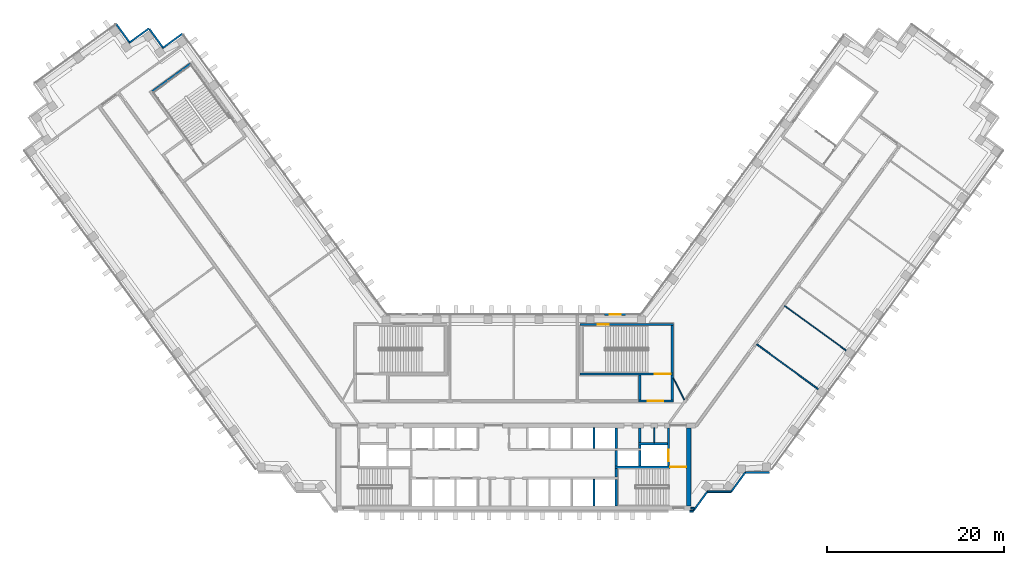
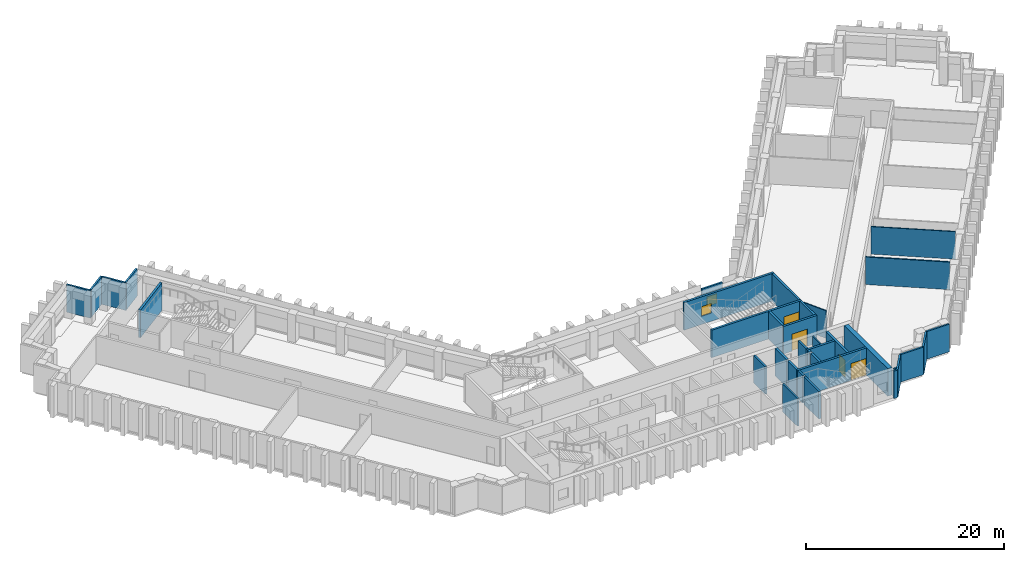
# One storey, part 7 of 12: 35 walls, 4 doors, 2 windows, 6 openings.
"""IFC4 building model written with IfcOpenShell, lengths in metres."""

from ifc_helpers import new_model, si_unit, direction, frame, frame_2d, origin, place, context, subcontext, project, spatial, rectangle, extrude, material, layer, layer_set, type_object, element, fill, save


model = new_model("IFC4")

# Units and contexts
model_context = context("Model", 3, precision=1e-05, world=origin(), true_north=direction((0.0, 1.0)))
body_context = subcontext(model_context, "Body", "Model", "MODEL_VIEW")
ifc_project = project(units=[si_unit("LENGTHUNIT", "METRE"), si_unit("AREAUNIT", "SQUARE_METRE"), si_unit("VOLUMEUNIT", "CUBIC_METRE"), si_unit("PLANEANGLEUNIT", "RADIAN"), si_unit("MASSUNIT", "GRAM", prefix="KILO")], contexts=[model_context])

# Site, building, storey
site_placement = place(None, origin())
site = spatial("IfcSite", under=ifc_project, at=site_placement, CompositionType="ELEMENT")
building_placement = place(site_placement, origin())
building = spatial("IfcBuilding", under=site, at=building_placement, Name="Quipu Civic Tower", CompositionType="ELEMENT")
storey_placement = place(building_placement, frame((0.0, 0.0, 75.0)))
storey = spatial("IfcBuildingStorey", under=building, at=storey_placement, Name="L17", CompositionType="ELEMENT", Elevation=75.0)

# Walls
ifc_material_1 = material(Name="Double gypsum plasterboard with mineral wool")
ifc_layer_1 = layer(ifc_material_1, 0.14990234375)
ifc_layer_set_1 = layer_set([ifc_layer_1], Name="Double gypsum plasterboard with mineral wool")
wall_type_1 = type_object("IfcWallType", Name="Acoustic partition 150 plasterboard", PredefinedType="PARTITIONING", material=ifc_layer_set_1)
wall_1_placement = place(storey_placement, frame((27.412841796875, 7.735107421875, 0.0), z_axis=(0.0, 0.0, 1.0), x_axis=(0.807664804385, -0.589641894507, 0.0)))
element("IfcWall", 1, at=wall_1_placement, inside=storey, type_object=wall_type_1, Name="Partition P01", PredefinedType="PARTITIONING", context=body_context, shape_type="SweptSolid", body=[
    extrude(rectangle(XDim=8.594482421875, YDim=0.14990234375, at=frame_2d((4.29736328125, 0.0))), origin(), (0.0, 0.0, 1.0), 3.39990234375),
])
ifc_material_2 = material(Name="Concrete C70/85", Category="concrete")
ifc_layer_2 = layer(ifc_material_2, 0.25)
ifc_layer_set_2 = layer_set([ifc_layer_2], Name="Concrete C70/85")
wall_type_2 = type_object("IfcWallType", Name="Core wall 250", PredefinedType="SHEAR", material=ifc_layer_set_2)
wall_2_placement = place(storey_placement, frame((11.574951171875, -10.5, 0.0), z_axis=(0.0, 0.0, 1.0), x_axis=(0.0, 1.0, 0.0)))
element("IfcWall", 2, at=wall_2_placement, inside=storey, type_object=wall_type_2, Name="Core wall", PredefinedType="SHEAR", context=body_context, shape_type="SweptSolid", body=[
    extrude(rectangle(XDim=3.0, YDim=0.25, at=frame_2d((1.5, 0.0))), origin(), (0.0, 0.0, 1.0), 3.39990234375),
])
wall_3_placement = place(storey_placement, frame((11.574951171875, -7.25, 0.0), z_axis=(0.0, 0.0, 1.0), x_axis=(0.0, 1.0, 0.0)))
element("IfcWall", 3, at=wall_3_placement, inside=storey, type_object=wall_type_2, Name="Core wall", PredefinedType="SHEAR", context=body_context, shape_type="SweptSolid", body=[
    extrude(rectangle(XDim=1.0, YDim=0.25, at=frame_2d((0.5, 0.0))), origin(), (0.0, 0.0, 1.0), 3.39990234375),
])

# Wall, opening, door
wall_4_placement = place(storey_placement, frame((19.5, -6.125, 0.0), z_axis=(0.0, 0.0, 1.0), x_axis=(-1.0, 0.0, 0.0)))
wall_4 = element("IfcWall", 4, at=wall_4_placement, inside=storey, type_object=wall_type_2, Name="Core wall", PredefinedType="SHEAR", context=body_context, shape_type="SweptSolid", body=[
    extrude(rectangle(XDim=8.050048828125, YDim=0.25, at=frame_2d((4.02490234375, 0.0))), origin(), (0.0, 0.0, 1.0), 3.39990234375),
])
opening_1_placement = place(wall_4_placement, frame((0.050048828125, 0.0, 0.0)))
opening_1 = element("IfcOpeningElement", 5, at=opening_1_placement, cuts=wall_4, Name="Opening CD-05", PredefinedType="OPENING", context=body_context, shape_type="SweptSolid", body=[
    extrude(rectangle(XDim=1.800048828125, YDim=2.10009765625, at=frame_2d((0.89990234375, 1.050048828125))), frame((0.0, 0.135009765625, 0.0), z_axis=(0.0, -1.0, 0.0), x_axis=(1.0, 0.0, 0.0)), (0.0, 0.0, 1.0), 0.27001953125),
])
ifc_material_3 = material(Name="Fire rated steel door", Category="steel")
door_type_1 = type_object("IfcDoorType", Name="Fire door FD90 double 1800 x 2100", OperationType="NOTDEFINED", PredefinedType="DOOR", material=ifc_material_3)
door_1_placement = place(opening_1_placement, origin())
door_1 = element("IfcDoor", 6, at=door_1_placement, inside=storey, type_object=door_type_1, Name="Door", OperationType="DOUBLE_DOOR_SINGLE_SWING", OverallHeight=2.10009765625, OverallWidth=1.800048828125, PredefinedType="DOOR", context=body_context, shape_type="SweptSolid", body=[
    extrude(rectangle(XDim=1.800048828125, YDim=2.10009765625, at=frame_2d((0.89990234375, 1.050048828125))), frame((0.0, 0.02490234375, 0.0), z_axis=(0.0, -1.0, 0.0), x_axis=(1.0, 0.0, 0.0)), (0.0, 0.0, 1.0), 0.050048828125),
])
fill(opening_1, door_1)

# Walls
for number, where, z_axis, x_axis, name in (
    (7, (11.574951171875, -6.0, 0.0), (0.0, 0.0, 1.0), (0.0, 1.0, 0.0), "Core wall"),
    (8, (14.22509765625, -6.0, 0.0), (0.0, 0.0, 1.0), (0.0, 1.0, 0.0), "Core wall"),
):
    element("IfcWall", number, at=place(storey_placement, frame(where, z_axis=z_axis, x_axis=x_axis)), inside=storey, type_object=wall_type_2, Name=name, PredefinedType="SHEAR", context=body_context, shape_type="SweptSolid", body=[
        extrude(rectangle(XDim=1.75, YDim=0.25, at=frame_2d((0.875, 0.0))), origin(), (0.0, 0.0, 1.0), 3.39990234375),
    ])

# Wall, opening, door
wall_5_placement = place(storey_placement, frame((17.47509765625, -6.0, 0.0), z_axis=(0.0, 0.0, 1.0), x_axis=(0.0, 1.0, 0.0)))
wall_5 = element("IfcWall", 9, at=wall_5_placement, inside=storey, type_object=wall_type_2, Name="Core wall", PredefinedType="SHEAR", context=body_context, shape_type="SweptSolid", body=[
    extrude(rectangle(XDim=4.300048828125, YDim=0.25, at=frame_2d((2.14990234375, 0.0))), origin(), (0.0, 0.0, 1.0), 3.39990234375),
])
opening_2_placement = place(wall_5_placement, frame((0.550048828125, 0.0, 0.0)))
opening_2 = element("IfcOpeningElement", 10, at=opening_2_placement, cuts=wall_5, Name="Opening LD-FF2", PredefinedType="OPENING", context=body_context, shape_type="SweptSolid", body=[
    extrude(rectangle(XDim=1.300048828125, YDim=2.10009765625, at=frame_2d((0.64990234375, 1.050048828125))), frame((0.0, 0.135009765625, 0.0), z_axis=(0.0, -1.0, 0.0), x_axis=(1.0, 0.0, 0.0)), (0.0, 0.0, 1.0), 0.27001953125),
])
ifc_material_4 = material(Name="Stainless steel", Category="steel")
door_type_2 = type_object("IfcDoorType", Name="Lift landing door 1300 x 2100", OperationType="DOUBLE_DOOR_SLIDING", PredefinedType="DOOR", material=ifc_material_4)
door_2_placement = place(opening_2_placement, origin())
door_2 = element("IfcDoor", 11, at=door_2_placement, inside=storey, type_object=door_type_2, Name="Landing door FF2", OperationType="DOUBLE_DOOR_SLIDING", OverallHeight=2.10009765625, OverallWidth=1.300048828125, PredefinedType="DOOR", context=body_context, shape_type="SweptSolid", body=[
    extrude(rectangle(XDim=1.300048828125, YDim=2.10009765625, at=frame_2d((0.64990234375, 1.050048828125))), frame((0.0, 0.02490234375, 0.0), z_axis=(0.0, -1.0, 0.0), x_axis=(1.0, 0.0, 0.0)), (0.0, 0.0, 1.0), 0.050048828125),
])
fill(opening_2, door_2)

# Walls
wall_6_placement = place(storey_placement, frame((11.574951171875, -4.0, 0.0), z_axis=(0.0, 0.0, 1.0), x_axis=(0.0, 1.0, 0.0)))
element("IfcWall", 12, at=wall_6_placement, inside=storey, type_object=wall_type_2, Name="Core wall", PredefinedType="SHEAR", context=body_context, shape_type="SweptSolid", body=[
    extrude(rectangle(XDim=2.300048828125, YDim=0.25, at=frame_2d((1.14990234375, 0.0))), origin(), (0.0, 0.0, 1.0), 3.39990234375),
])
wall_7_placement = place(storey_placement, frame((14.22509765625, -4.0, 0.0), z_axis=(0.0, 0.0, 1.0), x_axis=(0.0, 1.0, 0.0)))
element("IfcWall", 13, at=wall_7_placement, inside=storey, type_object=wall_type_2, Name="Core wall", PredefinedType="SHEAR", context=body_context, shape_type="SweptSolid", body=[
    extrude(rectangle(XDim=0.39990234375, YDim=0.25, at=frame_2d((0.199951171875, 0.0))), origin(), (0.0, 0.0, 1.0), 3.39990234375),
])
wall_8_placement = place(storey_placement, frame((14.10009765625, -3.47509765625, 0.0), z_axis=(0.0, 0.0, 1.0), x_axis=(1.0, 0.0, 0.0)))
element("IfcWall", 14, at=wall_8_placement, inside=storey, type_object=wall_type_2, Name="Core wall", PredefinedType="SHEAR", context=body_context, shape_type="SweptSolid", body=[
    extrude(rectangle(XDim=3.25, YDim=0.25, at=frame_2d((1.625, 0.0))), origin(), (0.0, 0.0, 1.0), 3.39990234375),
])
wall_9_placement = place(storey_placement, frame((14.22509765625, -3.35009765625, 0.0), z_axis=(0.0, 0.0, 1.0), x_axis=(0.0, 1.0, 0.0)))
element("IfcWall", 15, at=wall_9_placement, inside=storey, type_object=wall_type_2, Name="Core wall", PredefinedType="SHEAR", context=body_context, shape_type="SweptSolid", body=[
    extrude(rectangle(XDim=1.650146484375, YDim=0.25, at=frame_2d((0.8251953125, 0.0))), origin(), (0.0, 0.0, 1.0), 3.39990234375),
])

# Wall, opening, door
wall_10_placement = place(storey_placement, frame((14.10009765625, 1.324951171875, 0.0), z_axis=(0.0, 0.0, 1.0), x_axis=(1.0, 0.0, 0.0)))
wall_10 = element("IfcWall", 16, at=wall_10_placement, inside=storey, type_object=wall_type_2, Name="Core wall", PredefinedType="SHEAR", context=body_context, shape_type="SweptSolid", body=[
    extrude(rectangle(XDim=3.89990234375, YDim=0.25, at=frame_2d((1.949951171875, 0.0))), origin(), (0.0, 0.0, 1.0), 3.39990234375),
])
opening_3_placement = place(wall_10_placement, frame((1.0, 0.0, 0.0)))
opening_3 = element("IfcOpeningElement", 17, at=opening_3_placement, cuts=wall_10, Name="Opening CD-17", PredefinedType="OPENING", context=body_context, shape_type="SweptSolid", body=[
    extrude(rectangle(XDim=1.800048828125, YDim=2.10009765625, at=frame_2d((0.89990234375, 1.050048828125))), frame((0.0, 0.135009765625, 0.0), z_axis=(0.0, -1.0, 0.0), x_axis=(1.0, 0.0, 0.0)), (0.0, 0.0, 1.0), 0.27001953125),
])
door_3_placement = place(opening_3_placement, origin())
door_3 = element("IfcDoor", 18, at=door_3_placement, inside=storey, type_object=door_type_1, Name="Lobby door", OperationType="DOUBLE_DOOR_SINGLE_SWING", OverallHeight=2.10009765625, OverallWidth=1.800048828125, PredefinedType="DOOR", context=body_context, shape_type="SweptSolid", body=[
    extrude(rectangle(XDim=1.800048828125, YDim=2.10009765625, at=frame_2d((0.89990234375, 1.050048828125))), frame((0.0, 0.02490234375, 0.0), z_axis=(0.0, -1.0, 0.0), x_axis=(1.0, 0.0, 0.0)), (0.0, 0.0, 1.0), 0.050048828125),
])
fill(opening_3, door_3)

# Walls
for number, where, z_axis, x_axis, name in (
    (19, (14.22509765625, 1.449951171875, 0.0), (0.0, 0.0, 1.0), (0.0, 1.0, 0.0), "Core wall"),
    (20, (17.875, 1.449951171875, 0.0), (0.0, 0.0, 1.0), (0.0, 1.0, 0.0), "Core wall"),
):
    element("IfcWall", number, at=place(storey_placement, frame(where, z_axis=z_axis, x_axis=x_axis)), inside=storey, type_object=wall_type_2, Name=name, PredefinedType="SHEAR", context=body_context, shape_type="SweptSolid", body=[
        extrude(rectangle(XDim=2.800048828125, YDim=0.25, at=frame_2d((1.39990234375, 0.0))), origin(), (0.0, 0.0, 1.0), 3.39990234375),
    ])

# Wall, opening, door
wall_11_placement = place(storey_placement, frame((7.5, 4.375, 0.0), z_axis=(0.0, 0.0, 1.0), x_axis=(1.0, 0.0, 0.0)))
wall_11 = element("IfcWall", 21, at=wall_11_placement, inside=storey, type_object=wall_type_2, Name="Core wall", PredefinedType="SHEAR", context=body_context, shape_type="SweptSolid", body=[
    extrude(rectangle(XDim=10.5, YDim=0.25, at=frame_2d((5.25, 0.0))), origin(), (0.0, 0.0, 1.0), 3.39990234375),
])
opening_4_placement = place(wall_11_placement, frame((8.39990234375, 0.0, 0.0)))
opening_4 = element("IfcOpeningElement", 22, at=opening_4_placement, cuts=wall_11, Name="Opening CD-18", PredefinedType="OPENING", context=body_context, shape_type="SweptSolid", body=[
    extrude(rectangle(XDim=1.800048828125, YDim=2.10009765625, at=frame_2d((0.89990234375, 1.050048828125))), frame((0.0, 0.135009765625, 0.0), z_axis=(0.0, -1.0, 0.0), x_axis=(1.0, 0.0, 0.0)), (0.0, 0.0, 1.0), 0.27001953125),
])
door_4_placement = place(opening_4_placement, origin())
door_4 = element("IfcDoor", 23, at=door_4_placement, inside=storey, type_object=door_type_1, Name="Door", OperationType="DOUBLE_DOOR_SINGLE_SWING", OverallHeight=2.10009765625, OverallWidth=1.800048828125, PredefinedType="DOOR", context=body_context, shape_type="SweptSolid", body=[
    extrude(rectangle(XDim=1.800048828125, YDim=2.10009765625, at=frame_2d((0.89990234375, 1.050048828125))), frame((0.0, 0.02490234375, 0.0), z_axis=(0.0, -1.0, 0.0), x_axis=(1.0, 0.0, 0.0)), (0.0, 0.0, 1.0), 0.050048828125),
])
fill(opening_4, door_4)

# Wall
wall_12_placement = place(storey_placement, frame((17.875, 4.5, 0.0), z_axis=(0.0, 0.0, 1.0), x_axis=(0.0, 1.0, 0.0)))
element("IfcWall", 24, at=wall_12_placement, inside=storey, type_object=wall_type_2, Name="Core wall", PredefinedType="SHEAR", context=body_context, shape_type="SweptSolid", body=[
    extrude(rectangle(XDim=5.35009765625, YDim=0.25, at=frame_2d((2.675048828125, 0.0))), origin(), (0.0, 0.0, 1.0), 3.39990234375),
])

# Wall, opening, window
wall_13_placement = place(storey_placement, frame((7.5, 9.97509765625, 0.0), z_axis=(0.0, 0.0, 1.0), x_axis=(1.0, 0.0, 0.0)))
wall_13 = element("IfcWall", 25, at=wall_13_placement, inside=storey, type_object=wall_type_2, Name="Core wall", PredefinedType="SHEAR", context=body_context, shape_type="SweptSolid", body=[
    extrude(rectangle(XDim=10.5, YDim=0.25, at=frame_2d((5.25, 0.0))), origin(), (0.0, 0.0, 1.0), 3.39990234375),
])
opening_5_placement = place(wall_13_placement, frame((2.0, 0.0, 1.0)))
opening_5 = element("IfcOpeningElement", 26, at=opening_5_placement, cuts=wall_13, Name="Opening SV-4", PredefinedType="OPENING", context=body_context, shape_type="SweptSolid", body=[
    extrude(rectangle(XDim=1.199951171875, YDim=1.199951171875, at=frame_2d((0.60009765625, 0.60009765625))), frame((0.0, 0.135009765625, 0.0), z_axis=(0.0, -1.0, 0.0), x_axis=(1.0, 0.0, 0.0)), (0.0, 0.0, 1.0), 0.27001953125),
])
ifc_material_5 = material(Name="Aluminium louvre", Category="aluminium")
window_type_1 = type_object("IfcWindowType", Name="Stair ventilation louvre 1200 x 1200", PartitioningType="SINGLE_PANEL", PredefinedType="WINDOW", material=ifc_material_5)
window_1_placement = place(opening_5_placement, origin())
window_1 = element("IfcWindow", 27, at=window_1_placement, inside=storey, type_object=window_type_1, Name="Stair ventilation opening", OverallHeight=1.199951171875, OverallWidth=1.199951171875, PartitioningType="SINGLE_PANEL", PredefinedType="WINDOW", context=body_context, shape_type="SweptSolid", body=[
    extrude(rectangle(XDim=1.199951171875, YDim=1.199951171875, at=frame_2d((0.60009765625, 0.60009765625))), frame((0.0, 0.030029296875, 0.0), z_axis=(0.0, -1.0, 0.0), x_axis=(1.0, 0.0, 0.0)), (0.0, 0.0, 1.0), 0.06005859375),
])
fill(opening_5, window_1)

# Walls
wall_14_placement = place(storey_placement, frame((-36.43896484375, 39.384033203125, 0.0), z_axis=(0.0, 0.0, 1.0), x_axis=(-0.809020161303, -0.587780893365, 0.0)))
element("IfcWall", 28, at=wall_14_placement, inside=storey, type_object=wall_type_2, Name="Core wall", PredefinedType="SHEAR", context=body_context, shape_type="SweptSolid", body=[
    extrude(rectangle(XDim=5.349853515625, YDim=0.25, at=frame_2d((2.6748046875, 0.0))), origin(), (0.0, 0.0, 1.0), 3.39990234375),
])
ifc_material_6 = material(Name="Concrete C70/85", Category="concrete")
ifc_layer_3 = layer(ifc_material_6, 0.5)
ifc_layer_set_3 = layer_set([ifc_layer_3], Name="Concrete C70/85")
wall_type_3 = type_object("IfcWallType", Name="Core wall 500", PredefinedType="SHEAR", material=ifc_layer_set_3)
wall_15_placement = place(storey_placement, frame((19.75, -10.5, 0.0), z_axis=(0.0, 0.0, 1.0), x_axis=(0.0, 1.0, 0.0)))
element("IfcWall", 29, at=wall_15_placement, inside=storey, type_object=wall_type_3, Name="Core wall", PredefinedType="SHEAR", context=body_context, shape_type="SweptSolid", body=[
    extrude(rectangle(XDim=8.800048828125, YDim=0.5, at=frame_2d((4.39990234375, 0.0))), origin(), (0.0, 0.0, 1.0), 3.39990234375),
])
ifc_material_7 = material(Name="Gypsum plasterboard on light gauge framing")
ifc_layer_4 = layer(ifc_material_7, 0.1201171875)
ifc_layer_set_4 = layer_set([ifc_layer_4], Name="Gypsum plasterboard on light gauge framing")
wall_type_4 = type_object("IfcWallType", Name="Partition 120 plasterboard", PredefinedType="PARTITIONING", material=ifc_layer_set_4)
wall_16_placement = place(storey_placement, frame((37.516357421875, 7.019775390625, 0.0), z_axis=(0.0, 0.0, 1.0), x_axis=(-0.809002556908, 0.587805123248, 0.0)))
element("IfcWall", 30, at=wall_16_placement, inside=storey, type_object=wall_type_4, Name="Partition P02", PredefinedType="PARTITIONING", context=body_context, shape_type="SweptSolid", body=[
    extrude(rectangle(XDim=8.5947265625, YDim=0.1201171875, at=frame_2d((4.29736328125, 0.0))), origin(), (0.0, 0.0, 1.0), 3.39990234375),
])
wall_17_placement = place(storey_placement, frame((18.0, 3.925048828125, 0.0), z_axis=(0.0, 0.0, 1.0), x_axis=(0.453950796792, -0.891026752736, 0.0)))
element("IfcWall", 31, at=wall_17_placement, inside=storey, type_object=wall_type_4, Name="Partition P18", PredefinedType="PARTITIONING", context=body_context, shape_type="SweptSolid", body=[
    extrude(rectangle(XDim=2.77783203125, YDim=0.1201171875, at=frame_2d((1.388916015625, 0.0))), origin(), (0.0, 0.0, 1.0), 3.39990234375),
])
ifc_material_8 = material(Name="Gypsum board partition")
ifc_layer_5 = layer(ifc_material_8, 0.14990234375)
ifc_layer_set_5 = layer_set([ifc_layer_5], Name="Gypsum board partition")
wall_type_5 = type_object("IfcWallType", Name="Partition 150", PredefinedType="PARTITIONING", material=ifc_layer_set_5)
wall_18_placement = place(storey_placement, frame((15.85009765625, -3.35009765625, 0.0), z_axis=(0.0, 0.0, 1.0), x_axis=(0.0, 1.0, 0.0)))
element("IfcWall", 32, at=wall_18_placement, inside=storey, type_object=wall_type_5, Name="Partition", PredefinedType="PARTITIONING", context=body_context, shape_type="SweptSolid", body=[
    extrude(rectangle(XDim=1.650146484375, YDim=0.14990234375, at=frame_2d((0.8251953125, 0.0))), origin(), (0.0, 0.0, 1.0), 3.39990234375),
])
ifc_material_9 = material(Name="Precast concrete C40/50", Category="concrete")
wall_type_6 = type_object("IfcWallType", Name="Precast cladding wall", PredefinedType="SOLIDWALL", material=ifc_material_9)
wall_19_placement = place(storey_placement, frame((-37.352783203125, 42.768310546875, 0.0), z_axis=(0.0, 0.0, 1.0), x_axis=(-0.809033161865, -0.587762999008, 0.0)))
element("IfcWall", 33, at=wall_19_placement, inside=storey, type_object=wall_type_6, Name="Precast cladding wall L17 P02", PredefinedType="SOLIDWALL", context=body_context, shape_type="SweptSolid", body=[
    extrude(rectangle(XDim=2.699951171875, YDim=0.199951171875, at=frame_2d((1.35009765625, 0.0))), origin(), (0.0, 0.0, 1.0), 3.39990234375),
])
wall_20_placement = place(storey_placement, frame((-39.488037109375, 41.093505859375, 0.0), z_axis=(0.0, 0.0, 1.0), x_axis=(-0.587806000234, 0.809001919707, 0.0)))
element("IfcWall", 34, at=wall_20_placement, inside=storey, type_object=wall_type_6, Name="Precast cladding wall L17 P03", PredefinedType="SOLIDWALL", context=body_context, shape_type="SweptSolid", body=[
    extrude(rectangle(XDim=2.69970703125, YDim=0.199951171875, at=frame_2d((1.349853515625, 0.0))), origin(), (0.0, 0.0, 1.0), 3.39990234375),
])
for number, where, z_axis, x_axis, name in (
    (35, (-41.1240234375, 43.36572265625, 0.0), (0.0, 0.0, 1.0), (-0.809033161865, -0.587762999008, 0.0), "Precast cladding wall L17 P04"),
    (36, (-43.25927734375, 41.690673828125, 0.0), (0.0, 0.0, 1.0), (-0.587822180636, 0.808990163075, 0.0), "Precast cladding wall L17 P05"),
):
    element("IfcWall", number, at=place(storey_placement, frame(where, z_axis=z_axis, x_axis=x_axis)), inside=storey, type_object=wall_type_6, Name=name, PredefinedType="SOLIDWALL", context=body_context, shape_type="SweptSolid", body=[
        extrude(rectangle(XDim=2.699951171875, YDim=0.199951171875, at=frame_2d((1.35009765625, 0.0))), origin(), (0.0, 0.0, 1.0), 3.39990234375),
    ])
wall_21_placement = place(storey_placement, frame((19.85009765625, -11.087890625, 0.0), z_axis=(0.0, 0.0, 1.0), x_axis=(1.0, 0.0, 0.0)))
element("IfcWall", 37, at=wall_21_placement, inside=storey, type_object=wall_type_6, Name="Precast cladding wall L17 P16", PredefinedType="SOLIDWALL", context=body_context, shape_type="SweptSolid", body=[
    extrude(rectangle(XDim=0.40576171875, YDim=0.199951171875, at=frame_2d((0.202880859375, 0.0))), origin(), (0.0, 0.0, 1.0), 3.39990234375),
])
wall_22_placement = place(storey_placement, frame((20.253173828125, -11.083251953125, 0.0), z_axis=(0.0, 0.0, 1.0), x_axis=(0.587766567315, 0.809030569476, 0.0)))
element("IfcWall", 38, at=wall_22_placement, inside=storey, type_object=wall_type_6, Name="Precast cladding wall L17 P17", PredefinedType="SOLIDWALL", context=body_context, shape_type="SweptSolid", body=[
    extrude(rectangle(XDim=2.687744140625, YDim=0.199951171875, at=frame_2d((1.34375, 0.0))), origin(), (0.0, 0.0, 1.0), 3.39990234375),
])
wall_23_placement = place(storey_placement, frame((21.8427734375, -8.90380859375, 0.0), z_axis=(0.0, 0.0, 1.0), x_axis=(1.0, 0.0, 0.0)))
element("IfcWall", 39, at=wall_23_placement, inside=storey, type_object=wall_type_6, Name="Precast cladding wall L17 P18", PredefinedType="SOLIDWALL", context=body_context, shape_type="SweptSolid", body=[
    extrude(rectangle(XDim=2.699951171875, YDim=0.199951171875, at=frame_2d((1.35009765625, 0.0))), origin(), (0.0, 0.0, 1.0), 3.39990234375),
])
wall_24_placement = place(storey_placement, frame((24.533203125, -8.90869140625, 0.0), z_axis=(0.0, 0.0, 1.0), x_axis=(0.587720002413, 0.809064397168, 0.0)))
element("IfcWall", 40, at=wall_24_placement, inside=storey, type_object=wall_type_6, Name="Precast cladding wall L17 P19", PredefinedType="SOLIDWALL", context=body_context, shape_type="SweptSolid", body=[
    extrude(rectangle(XDim=2.7001953125, YDim=0.199951171875, at=frame_2d((1.35009765625, 0.0))), origin(), (0.0, 0.0, 1.0), 3.39990234375),
])
wall_25_placement = place(storey_placement, frame((26.1298828125, -6.71923828125, 0.0), z_axis=(0.0, 0.0, 1.0), x_axis=(1.0, 0.0, 0.0)))
element("IfcWall", 41, at=wall_25_placement, inside=storey, type_object=wall_type_6, Name="Precast cladding wall L17 P20", PredefinedType="SOLIDWALL", context=body_context, shape_type="SweptSolid", body=[
    extrude(rectangle(XDim=2.699951171875, YDim=0.199951171875, at=frame_2d((1.35009765625, 0.0))), origin(), (0.0, 0.0, 1.0), 3.39990234375),
])

# Wall, opening, window
wall_26_placement = place(storey_placement, frame((12.655029296875, 11.10009765625, 0.0), z_axis=(0.0, 0.0, 1.0), x_axis=(-1.0, 0.0, 0.0)))
wall_26 = element("IfcWall", 42, at=wall_26_placement, inside=storey, type_object=wall_type_6, Name="Vent surround SF-L15-2", PredefinedType="SOLIDWALL", context=body_context, shape_type="SweptSolid", body=[
    extrude(rectangle(XDim=2.3916015625, YDim=0.199951171875, at=frame_2d((1.19580078125, 0.0))), origin(), (0.0, 0.0, 1.0), 3.39990234375),
])
opening_6_placement = place(wall_26_placement, frame((0.595703125, 0.0, 1.0)))
opening_6 = element("IfcOpeningElement", 43, at=opening_6_placement, cuts=wall_26, Name="Opening SF-L15-2", PredefinedType="OPENING", context=body_context, shape_type="SweptSolid", body=[
    extrude(rectangle(XDim=1.199951171875, YDim=1.199951171875, at=frame_2d((0.60009765625, 0.60009765625))), frame((0.0, 0.10986328125, 0.0), z_axis=(0.0, -1.0, 0.0), x_axis=(1.0, 0.0, 0.0)), (0.0, 0.0, 1.0), 0.219970703125),
])
ifc_material_10 = material(Name="Anodised aluminium louvre", Category="aluminium")
window_type_2 = type_object("IfcWindowType", Name="Stair vent louvre window P3", PartitioningType="SINGLE_PANEL", PredefinedType="WINDOW", material=ifc_material_10)
window_2_placement = place(opening_6_placement, origin())
window_2 = element("IfcWindow", 44, at=window_2_placement, inside=storey, type_object=window_type_2, Name="Stair vent louvre SF-L15-2", OverallHeight=1.199951171875, OverallWidth=1.199951171875, PartitioningType="SINGLE_PANEL", PredefinedType="WINDOW", context=body_context, shape_type="SweptSolid", body=[
    extrude(rectangle(XDim=1.199951171875, YDim=1.199951171875, at=frame_2d((0.60009765625, 0.60009765625))), frame((0.0, 0.030029296875, 0.0), z_axis=(0.0, -1.0, 0.0), x_axis=(1.0, 0.0, 0.0)), (0.0, 0.0, 1.0), 0.06005859375),
])
fill(opening_6, window_2)

# Walls
wall_27_placement = place(storey_placement, frame((19.97998046875, -10.75, 0.0), z_axis=(0.0, 0.0, 1.0), x_axis=(1.0, 0.0, 0.0)))
element("IfcWall", 45, at=wall_27_placement, inside=storey, type_object=wall_type_6, Name="Precast cladding return L17 E", PredefinedType="SOLIDWALL", context=body_context, shape_type="SweptSolid", body=[
    extrude(rectangle(XDim=0.41650390625, YDim=0.199951171875, at=frame_2d((0.208251953125, 0.0))), origin(), (0.0, 0.0, 1.0), 3.39990234375),
])
ifc_material_11 = material(Name="Concrete C40/50", Category="concrete")
ifc_layer_6 = layer(ifc_material_11, 0.199951171875)
ifc_layer_set_6 = layer_set([ifc_layer_6], Name="Concrete C40/50")
wall_type_7 = type_object("IfcWallType", Name="Shaft wall 200", PredefinedType="SOLIDWALL", material=ifc_layer_set_6)
wall_28_placement = place(storey_placement, frame((9.050048828125, -10.5, 0.0), z_axis=(0.0, 0.0, 1.0), x_axis=(0.0, 1.0, 0.0)))
element("IfcWall", 46, at=wall_28_placement, inside=storey, type_object=wall_type_7, Name="Shaft wall", PredefinedType="SOLIDWALL", context=body_context, shape_type="SweptSolid", body=[
    extrude(rectangle(XDim=3.0, YDim=0.199951171875, at=frame_2d((1.5, 0.0))), origin(), (0.0, 0.0, 1.0), 3.39990234375),
])
wall_29_placement = place(storey_placement, frame((9.050048828125, -4.0, 0.0), z_axis=(0.0, 0.0, 1.0), x_axis=(0.0, 1.0, 0.0)))
element("IfcWall", 47, at=wall_29_placement, inside=storey, type_object=wall_type_7, Name="Shaft wall", PredefinedType="SOLIDWALL", context=body_context, shape_type="SweptSolid", body=[
    extrude(rectangle(XDim=2.300048828125, YDim=0.199951171875, at=frame_2d((1.14990234375, 0.0))), origin(), (0.0, 0.0, 1.0), 3.39990234375),
])

save(model, "model.ifc")
